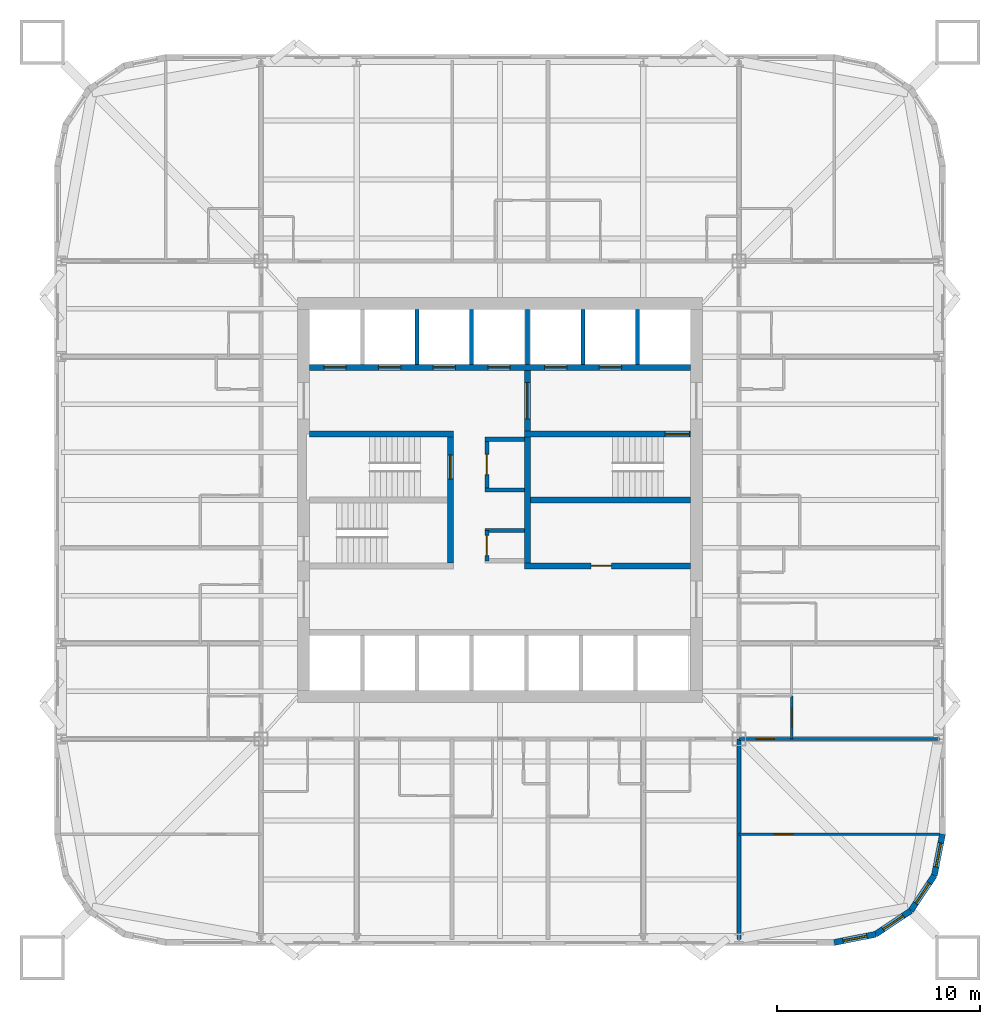
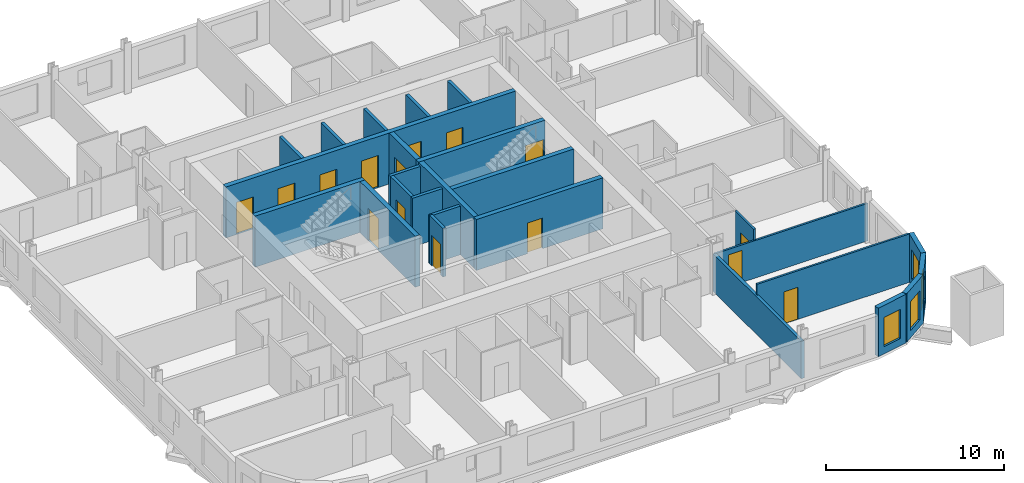
# One storey, part 5 of 10: 25 walls, 15 doors, 4 windows, 19 openings.
"""IFC4 building model written with IfcOpenShell, lengths in metres."""

from ifc_helpers import new_model, si_unit, direction, frame, frame_2d, origin, place, context, subcontext, project, spatial, rectangle, extrude, material, layer, layer_set, type_object, element, fill, save


model = new_model("IFC4")

# Units and contexts
model_context = context("Model", 3, precision=1e-05, world=origin(), true_north=direction((0.0, 1.0)))
body_context = subcontext(model_context, "Body", "Model", "MODEL_VIEW")
ifc_project = project(units=[si_unit("LENGTHUNIT", "METRE"), si_unit("AREAUNIT", "SQUARE_METRE"), si_unit("VOLUMEUNIT", "CUBIC_METRE"), si_unit("PLANEANGLEUNIT", "RADIAN"), si_unit("MASSUNIT", "GRAM", prefix="KILO")], contexts=[model_context])

# Site, building, storey
site_placement = place(None, origin())
site = spatial("IfcSite", under=ifc_project, at=site_placement, CompositionType="ELEMENT")
building_placement = place(site_placement, origin())
building = spatial("IfcBuilding", under=site, at=building_placement, Name="Turquesa Mirador Hotel Tower", CompositionType="ELEMENT")
storey_placement = place(building_placement, frame((0.0, 0.0, 70.5)))
storey = spatial("IfcBuildingStorey", under=building, at=storey_placement, Name="L18", CompositionType="ELEMENT", Elevation=70.5)

# Wall, openings, doors
ifc_material_1 = material(Name="Concrete C50/60", Category="concrete")
ifc_layer_1 = layer(ifc_material_1, 0.300048828125)
ifc_layer_set_1 = layer_set([ifc_layer_1], Name="CORE INNER WALL 300")
wall_type_1 = type_object("IfcWallType", Name="CORE INNER WALL 300", PredefinedType="SHEAR", material=ifc_layer_set_1)
wall_1_placement = place(storey_placement, frame((45.60009765625, 51.550048828125, 0.0), z_axis=(0.0, 0.0, 1.0), x_axis=(1.0, 0.0, 0.0)))
wall_1 = element("IfcWall", 1, at=wall_1_placement, inside=storey, type_object=wall_type_1, Name="Core wall NL", PredefinedType="SHEAR", context=body_context, shape_type="SweptSolid", body=[
    extrude(rectangle(XDim=18.7998046875, YDim=0.300048828125, at=frame_2d((9.39990234375, 0.0))), origin(), (0.0, 0.0, 1.0), 3.5),
])
opening_1_placement = place(wall_1_placement, frame((0.699951171875, 0.0, 0.0)))
opening_1 = element("IfcOpeningElement", 2, at=opening_1_placement, cuts=wall_1, Name="Opening LD", PredefinedType="OPENING", context=body_context, shape_type="SweptSolid", body=[
    extrude(rectangle(XDim=1.10009765625, YDim=2.199951171875, at=frame_2d((0.550048828125, 1.10009765625))), frame((0.0, 0.159912109375, 0.0), z_axis=(0.0, -1.0, 0.0), x_axis=(1.0, 0.0, 0.0)), (0.0, 0.0, 1.0), 0.320068359375),
])
opening_2_placement = place(wall_1_placement, frame((3.39990234375, 0.0, 0.0)))
opening_2 = element("IfcOpeningElement", 3, at=opening_2_placement, cuts=wall_1, Name="Opening LD", PredefinedType="OPENING", context=body_context, shape_type="SweptSolid", body=[
    extrude(rectangle(XDim=1.10009765625, YDim=2.199951171875, at=frame_2d((0.550048828125, 1.10009765625))), frame((0.0, 0.159912109375, 0.0), z_axis=(0.0, -1.0, 0.0), x_axis=(1.0, 0.0, 0.0)), (0.0, 0.0, 1.0), 0.320068359375),
])
opening_3_placement = place(wall_1_placement, frame((6.10009765625, 0.0, 0.0)))
opening_3 = element("IfcOpeningElement", 4, at=opening_3_placement, cuts=wall_1, Name="Opening LD", PredefinedType="OPENING", context=body_context, shape_type="SweptSolid", body=[
    extrude(rectangle(XDim=1.10009765625, YDim=2.199951171875, at=frame_2d((0.550048828125, 1.10009765625))), frame((0.0, 0.159912109375, 0.0), z_axis=(0.0, -1.0, 0.0), x_axis=(1.0, 0.0, 0.0)), (0.0, 0.0, 1.0), 0.320068359375),
])
opening_4_placement = place(wall_1_placement, frame((8.800048828125, 0.0, 0.0)))
opening_4 = element("IfcOpeningElement", 5, at=opening_4_placement, cuts=wall_1, Name="Opening LD", PredefinedType="OPENING", context=body_context, shape_type="SweptSolid", body=[
    extrude(rectangle(XDim=1.10009765625, YDim=2.199951171875, at=frame_2d((0.550048828125, 1.10009765625))), frame((0.0, 0.159912109375, 0.0), z_axis=(0.0, -1.0, 0.0), x_axis=(1.0, 0.0, 0.0)), (0.0, 0.0, 1.0), 0.320068359375),
])
opening_5_placement = place(wall_1_placement, frame((11.60009765625, 0.0, 0.0)))
opening_5 = element("IfcOpeningElement", 6, at=opening_5_placement, cuts=wall_1, Name="Opening LD", PredefinedType="OPENING", context=body_context, shape_type="SweptSolid", body=[
    extrude(rectangle(XDim=1.10009765625, YDim=2.199951171875, at=frame_2d((0.550048828125, 1.10009765625))), frame((0.0, 0.159912109375, 0.0), z_axis=(0.0, -1.0, 0.0), x_axis=(1.0, 0.0, 0.0)), (0.0, 0.0, 1.0), 0.320068359375),
])
opening_6_placement = place(wall_1_placement, frame((14.300048828125, 0.0, 0.0)))
opening_6 = element("IfcOpeningElement", 7, at=opening_6_placement, cuts=wall_1, Name="Opening LD", PredefinedType="OPENING", context=body_context, shape_type="SweptSolid", body=[
    extrude(rectangle(XDim=1.10009765625, YDim=2.199951171875, at=frame_2d((0.550048828125, 1.10009765625))), frame((0.0, 0.159912109375, 0.0), z_axis=(0.0, -1.0, 0.0), x_axis=(1.0, 0.0, 0.0)), (0.0, 0.0, 1.0), 0.320068359375),
])
ifc_material_2 = material(Name="Stainless steel lift landing door", Category="steel")
door_type_1 = type_object("IfcDoorType", Name="LIFT LANDING DOOR 1100X2200", OperationType="SLIDING_TO_LEFT", PredefinedType="DOOR", material=ifc_material_2)
door_1_placement = place(opening_1_placement, origin())
door_1 = element("IfcDoor", 8, at=door_1_placement, inside=storey, type_object=door_type_1, Name="Lift A1 landing door", OperationType="SLIDING_TO_LEFT", OverallHeight=2.199951171875, OverallWidth=1.10009765625, PredefinedType="DOOR", context=body_context, shape_type="SweptSolid", body=[
    extrude(rectangle(XDim=1.10009765625, YDim=2.199951171875, at=frame_2d((0.550048828125, 1.10009765625))), frame((0.0, 0.02490234375, 0.0), z_axis=(0.0, -1.0, 0.0), x_axis=(1.0, 0.0, 0.0)), (0.0, 0.0, 1.0), 0.050048828125),
])
fill(opening_1, door_1)
door_2_placement = place(opening_2_placement, origin())
door_2 = element("IfcDoor", 9, at=door_2_placement, inside=storey, type_object=door_type_1, Name="Lift A2 landing door", OperationType="SLIDING_TO_LEFT", OverallHeight=2.199951171875, OverallWidth=1.10009765625, PredefinedType="DOOR", context=body_context, shape_type="SweptSolid", body=[
    extrude(rectangle(XDim=1.10009765625, YDim=2.199951171875, at=frame_2d((0.550048828125, 1.10009765625))), frame((0.0, 0.02490234375, 0.0), z_axis=(0.0, -1.0, 0.0), x_axis=(1.0, 0.0, 0.0)), (0.0, 0.0, 1.0), 0.050048828125),
])
fill(opening_2, door_2)
door_3_placement = place(opening_3_placement, origin())
door_3 = element("IfcDoor", 10, at=door_3_placement, inside=storey, type_object=door_type_1, Name="Lift A3 landing door", OperationType="SLIDING_TO_LEFT", OverallHeight=2.199951171875, OverallWidth=1.10009765625, PredefinedType="DOOR", context=body_context, shape_type="SweptSolid", body=[
    extrude(rectangle(XDim=1.10009765625, YDim=2.199951171875, at=frame_2d((0.550048828125, 1.10009765625))), frame((0.0, 0.02490234375, 0.0), z_axis=(0.0, -1.0, 0.0), x_axis=(1.0, 0.0, 0.0)), (0.0, 0.0, 1.0), 0.050048828125),
])
fill(opening_3, door_3)
door_4_placement = place(opening_4_placement, origin())
door_4 = element("IfcDoor", 11, at=door_4_placement, inside=storey, type_object=door_type_1, Name="Lift A4 landing door", OperationType="SLIDING_TO_LEFT", OverallHeight=2.199951171875, OverallWidth=1.10009765625, PredefinedType="DOOR", context=body_context, shape_type="SweptSolid", body=[
    extrude(rectangle(XDim=1.10009765625, YDim=2.199951171875, at=frame_2d((0.550048828125, 1.10009765625))), frame((0.0, 0.02490234375, 0.0), z_axis=(0.0, -1.0, 0.0), x_axis=(1.0, 0.0, 0.0)), (0.0, 0.0, 1.0), 0.050048828125),
])
fill(opening_4, door_4)
door_5_placement = place(opening_5_placement, origin())
door_5 = element("IfcDoor", 12, at=door_5_placement, inside=storey, type_object=door_type_1, Name="Lift S1 landing door", OperationType="SLIDING_TO_LEFT", OverallHeight=2.199951171875, OverallWidth=1.10009765625, PredefinedType="DOOR", context=body_context, shape_type="SweptSolid", body=[
    extrude(rectangle(XDim=1.10009765625, YDim=2.199951171875, at=frame_2d((0.550048828125, 1.10009765625))), frame((0.0, 0.02490234375, 0.0), z_axis=(0.0, -1.0, 0.0), x_axis=(1.0, 0.0, 0.0)), (0.0, 0.0, 1.0), 0.050048828125),
])
fill(opening_5, door_5)
door_6_placement = place(opening_6_placement, origin())
door_6 = element("IfcDoor", 13, at=door_6_placement, inside=storey, type_object=door_type_1, Name="Lift S2 landing door", OperationType="SLIDING_TO_LEFT", OverallHeight=2.199951171875, OverallWidth=1.10009765625, PredefinedType="DOOR", context=body_context, shape_type="SweptSolid", body=[
    extrude(rectangle(XDim=1.10009765625, YDim=2.199951171875, at=frame_2d((0.550048828125, 1.10009765625))), frame((0.0, 0.02490234375, 0.0), z_axis=(0.0, -1.0, 0.0), x_axis=(1.0, 0.0, 0.0)), (0.0, 0.0, 1.0), 0.050048828125),
])
fill(opening_6, door_6)

# Wall
wall_2_placement = place(storey_placement, frame((45.60009765625, 48.25, 0.0), z_axis=(0.0, 0.0, 1.0), x_axis=(1.0, 0.0, 0.0)))
element("IfcWall", 14, at=wall_2_placement, inside=storey, type_object=wall_type_1, Name="Core wall MN-W", PredefinedType="SHEAR", context=body_context, shape_type="SweptSolid", body=[
    extrude(rectangle(XDim=7.099853515625, YDim=0.300048828125, at=frame_2d((3.5498046875, 0.0))), origin(), (0.0, 0.0, 1.0), 3.5),
])

# Wall, opening, door
wall_3_placement = place(storey_placement, frame((56.199951171875, 48.25, 0.0), z_axis=(0.0, 0.0, 1.0), x_axis=(1.0, 0.0, 0.0)))
wall_3 = element("IfcWall", 15, at=wall_3_placement, inside=storey, type_object=wall_type_1, Name="Core wall MN-E", PredefinedType="SHEAR", context=body_context, shape_type="SweptSolid", body=[
    extrude(rectangle(XDim=8.199951171875, YDim=0.300048828125, at=frame_2d((4.10009765625, 0.0))), origin(), (0.0, 0.0, 1.0), 3.5),
])
opening_7_placement = place(wall_3_placement, frame((6.949951171875, 0.0, 0.0)))
opening_7 = element("IfcOpeningElement", 16, at=opening_7_placement, cuts=wall_3, Name="Opening D03", PredefinedType="OPENING", context=body_context, shape_type="SweptSolid", body=[
    extrude(rectangle(XDim=1.199951171875, YDim=2.199951171875, at=frame_2d((0.60009765625, 1.10009765625))), frame((0.0, 0.159912109375, 0.0), z_axis=(0.0, -1.0, 0.0), x_axis=(1.0, 0.0, 0.0)), (0.0, 0.0, 1.0), 0.320068359375),
])
ifc_material_3 = material(Name="Steel fire door", Category="steel")
door_type_2 = type_object("IfcDoorType", Name="DOOR 1200X2200 STAIR", OperationType="SINGLE_SWING_LEFT", PredefinedType="DOOR", material=ifc_material_3)
door_7_placement = place(opening_7_placement, origin())
door_7 = element("IfcDoor", 17, at=door_7_placement, inside=storey, type_object=door_type_2, Name="Stair ST3 door", OperationType="SINGLE_SWING_LEFT", OverallHeight=2.199951171875, OverallWidth=1.199951171875, PredefinedType="DOOR", context=body_context, shape_type="SweptSolid", body=[
    extrude(rectangle(XDim=1.199951171875, YDim=2.199951171875, at=frame_2d((0.60009765625, 1.10009765625))), frame((0.0, 0.02490234375, 0.0), z_axis=(0.0, -1.0, 0.0), x_axis=(1.0, 0.0, 0.0)), (0.0, 0.0, 1.0), 0.050048828125),
])
fill(opening_7, door_7)

wall_4_placement = place(storey_placement, frame((56.199951171875, 41.75, 0.0), z_axis=(0.0, 0.0, 1.0), x_axis=(1.0, 0.0, 0.0)))
wall_4 = element("IfcWall", 18, at=wall_4_placement, inside=storey, type_object=wall_type_1, Name="Core wall MS-E", PredefinedType="SHEAR", context=body_context, shape_type="SweptSolid", body=[
    extrude(rectangle(XDim=8.199951171875, YDim=0.300048828125, at=frame_2d((4.10009765625, 0.0))), origin(), (0.0, 0.0, 1.0), 3.5),
])
opening_8_placement = place(wall_4_placement, frame((3.300048828125, 0.0, 0.0)))
opening_8 = element("IfcOpeningElement", 19, at=opening_8_placement, cuts=wall_4, Name="Opening D05", PredefinedType="OPENING", context=body_context, shape_type="SweptSolid", body=[
    extrude(rectangle(XDim=1.0, YDim=2.10009765625, at=frame_2d((0.5, 1.050048828125))), frame((0.0, 0.159912109375, 0.0), z_axis=(0.0, -1.0, 0.0), x_axis=(1.0, 0.0, 0.0)), (0.0, 0.0, 1.0), 0.320068359375),
])
ifc_material_4 = material(Name="Steel fire door", Category="steel")
door_type_3 = type_object("IfcDoorType", Name="DOOR 1000X2100 SERVICE", OperationType="SINGLE_SWING_LEFT", PredefinedType="DOOR", material=ifc_material_4)
door_8_placement = place(opening_8_placement, origin())
door_8 = element("IfcDoor", 20, at=door_8_placement, inside=storey, type_object=door_type_3, Name="Housekeeping room door", OperationType="SINGLE_SWING_LEFT", OverallHeight=2.10009765625, OverallWidth=1.0, PredefinedType="DOOR", context=body_context, shape_type="SweptSolid", body=[
    extrude(rectangle(XDim=1.0, YDim=2.10009765625, at=frame_2d((0.5, 1.050048828125))), frame((0.0, 0.02490234375, 0.0), z_axis=(0.0, -1.0, 0.0), x_axis=(1.0, 0.0, 0.0)), (0.0, 0.0, 1.0), 0.050048828125),
])
fill(opening_8, door_8)

wall_5_placement = place(storey_placement, frame((52.550048828125, 41.89990234375, 0.0), z_axis=(0.0, 0.0, 1.0), x_axis=(0.0, 1.0, 0.0)))
wall_5 = element("IfcWall", 21, at=wall_5_placement, inside=storey, type_object=wall_type_1, Name="Core wall PW", PredefinedType="SHEAR", context=body_context, shape_type="SweptSolid", body=[
    extrude(rectangle(XDim=6.2001953125, YDim=0.300048828125, at=frame_2d((3.10009765625, 0.0))), origin(), (0.0, 0.0, 1.0), 3.5),
])
opening_9_placement = place(wall_5_placement, frame((4.125, 0.0, 0.0)))
opening_9 = element("IfcOpeningElement", 22, at=opening_9_placement, cuts=wall_5, Name="Opening D03", PredefinedType="OPENING", context=body_context, shape_type="SweptSolid", body=[
    extrude(rectangle(XDim=1.199951171875, YDim=2.199951171875, at=frame_2d((0.60009765625, 1.10009765625))), frame((0.0, 0.159912109375, 0.0), z_axis=(0.0, -1.0, 0.0), x_axis=(1.0, 0.0, 0.0)), (0.0, 0.0, 1.0), 0.320068359375),
])
door_9_placement = place(opening_9_placement, origin())
door_9 = element("IfcDoor", 23, at=door_9_placement, inside=storey, type_object=door_type_2, Name="Stair ST1 door", OperationType="SINGLE_SWING_LEFT", OverallHeight=2.199951171875, OverallWidth=1.199951171875, PredefinedType="DOOR", context=body_context, shape_type="SweptSolid", body=[
    extrude(rectangle(XDim=1.199951171875, YDim=2.199951171875, at=frame_2d((0.60009765625, 1.10009765625))), frame((0.0, 0.02490234375, 0.0), z_axis=(0.0, -1.0, 0.0), x_axis=(1.0, 0.0, 0.0)), (0.0, 0.0, 1.0), 0.050048828125),
])
fill(opening_9, door_9)

wall_6_placement = place(storey_placement, frame((56.35009765625, 41.89990234375, 0.0), z_axis=(0.0, 0.0, 1.0), x_axis=(0.0, 1.0, 0.0)))
wall_6 = element("IfcWall", 24, at=wall_6_placement, inside=storey, type_object=wall_type_1, Name="Core wall PE", PredefinedType="SHEAR", context=body_context, shape_type="SweptSolid", body=[
    extrude(rectangle(XDim=9.5, YDim=0.300048828125, at=frame_2d((4.75, 0.0))), origin(), (0.0, 0.0, 1.0), 3.5),
])
opening_10_placement = place(wall_6_placement, frame((7.10009765625, 0.0, 0.0)))
opening_10 = element("IfcOpeningElement", 25, at=opening_10_placement, cuts=wall_6, Name="Opening D04", PredefinedType="OPENING", context=body_context, shape_type="SweptSolid", body=[
    extrude(rectangle(XDim=1.800048828125, YDim=2.199951171875, at=frame_2d((0.89990234375, 1.10009765625))), frame((0.0, 0.159912109375, 0.0), z_axis=(0.0, -1.0, 0.0), x_axis=(1.0, 0.0, 0.0)), (0.0, 0.0, 1.0), 0.320068359375),
])
ifc_material_5 = material(Name="Steel fire door pair", Category="steel")
door_type_4 = type_object("IfcDoorType", Name="DOOR 1800X2200 PAIR", OperationType="DOUBLE_DOOR_SINGLE_SWING", PredefinedType="DOOR", material=ifc_material_5)
door_10_placement = place(opening_10_placement, origin())
door_10 = element("IfcDoor", 26, at=door_10_placement, inside=storey, type_object=door_type_4, Name="Firefighting lobby inner door", OperationType="DOUBLE_DOOR_SINGLE_SWING", OverallHeight=2.199951171875, OverallWidth=1.800048828125, PredefinedType="DOOR", context=body_context, shape_type="SweptSolid", body=[
    extrude(rectangle(XDim=1.800048828125, YDim=2.199951171875, at=frame_2d((0.89990234375, 1.10009765625))), frame((0.0, 0.02490234375, 0.0), z_axis=(0.0, -1.0, 0.0), x_axis=(1.0, 0.0, 0.0)), (0.0, 0.0, 1.0), 0.050048828125),
])
fill(opening_10, door_10)

# Wall
wall_7_placement = place(storey_placement, frame((56.5, 45.0, 0.0), z_axis=(0.0, 0.0, 1.0), x_axis=(1.0, 0.0, 0.0)))
element("IfcWall", 27, at=wall_7_placement, inside=storey, type_object=wall_type_1, Name="Core wall M0-E", PredefinedType="SHEAR", context=body_context, shape_type="SweptSolid", body=[
    extrude(rectangle(XDim=7.89990234375, YDim=0.300048828125, at=frame_2d((3.949951171875, 0.0))), origin(), (0.0, 0.0, 1.0), 3.5),
])

# Wall, opening, window
ifc_material_6 = material(Name="Limestone cladding on concrete block", Category="masonry")
ifc_layer_2 = layer(ifc_material_6, 0.300048828125)
ifc_layer_set_2 = layer_set([ifc_layer_2], Name="FACADE WALL 300 STONE SCREEN")
wall_type_2 = type_object("IfcWallType", Name="FACADE WALL 300 STONE SCREEN", PredefinedType="SOLIDWALL", material=ifc_layer_set_2)
wall_8_placement = place(storey_placement, frame((71.5, 23.14990234375, 0.0), z_axis=(0.0, 0.0, 1.0), x_axis=(0.980787050784, 0.195081421501, 0.0)))
wall_8 = element("IfcWall", 28, at=wall_8_placement, inside=storey, type_object=wall_type_2, Name="Facade wall L18 00", PredefinedType="SOLIDWALL", context=body_context, shape_type="SweptSolid", body=[
    extrude(rectangle(XDim=2.08740234375, YDim=0.300048828125, at=frame_2d((1.043701171875, 0.0))), origin(), (0.0, 0.0, 1.0), 3.330078125),
])
opening_11_placement = place(wall_8_placement, frame((0.443603515625, 0.0, 0.5)))
opening_11 = element("IfcOpeningElement", 29, at=opening_11_placement, cuts=wall_8, Name="Opening WN4", PredefinedType="OPENING", context=body_context, shape_type="SweptSolid", body=[
    extrude(rectangle(XDim=1.199951171875, YDim=2.0, at=frame_2d((0.60009765625, 1.0))), frame((0.0, 0.159912109375, 0.0), z_axis=(0.0, -1.0, 0.0), x_axis=(1.0, 0.0, 0.0)), (0.0, 0.0, 1.0), 0.320068359375),
])
ifc_material_7 = material(Name="Ceramic-fritted laminated glass", Category="glass")
window_type = type_object("IfcWindowType", Name="FRITTED CORNER WINDOW 1200X2000", PartitioningType="DOUBLE_PANEL_HORIZONTAL", PredefinedType="WINDOW", material=ifc_material_7)
window_1_placement = place(opening_11_placement, origin())
window_1 = element("IfcWindow", 30, at=window_1_placement, inside=storey, type_object=window_type, Name="Window L18", OverallHeight=2.0, OverallWidth=1.199951171875, PartitioningType="SINGLE_PANEL", PredefinedType="WINDOW", context=body_context, shape_type="SweptSolid", body=[
    extrude(rectangle(XDim=1.199951171875, YDim=2.0, at=frame_2d((0.60009765625, 1.0))), frame((0.0, 0.030029296875, 0.0), z_axis=(0.0, -1.0, 0.0), x_axis=(1.0, 0.0, 0.0)), (0.0, 0.0, 1.0), 0.06005859375),
])
fill(opening_11, window_1)

wall_9_placement = place(storey_placement, frame((73.54736328125, 23.55712890625, 0.0), z_axis=(0.0, 0.0, 1.0), x_axis=(0.831420010345, 0.555644460423, 0.0)))
wall_9 = element("IfcWall", 31, at=wall_9_placement, inside=storey, type_object=wall_type_2, Name="Facade wall L18 01", PredefinedType="SOLIDWALL", context=body_context, shape_type="SweptSolid", body=[
    extrude(rectangle(XDim=2.08740234375, YDim=0.300048828125, at=frame_2d((1.043701171875, 0.0))), origin(), (0.0, 0.0, 1.0), 3.330078125),
])
opening_12_placement = place(wall_9_placement, frame((0.443603515625, 0.0, 0.5)))
opening_12 = element("IfcOpeningElement", 32, at=opening_12_placement, cuts=wall_9, Name="Opening WN4", PredefinedType="OPENING", context=body_context, shape_type="SweptSolid", body=[
    extrude(rectangle(XDim=1.199951171875, YDim=2.0, at=frame_2d((0.60009765625, 1.0))), frame((0.0, 0.159912109375, 0.0), z_axis=(0.0, -1.0, 0.0), x_axis=(1.0, 0.0, 0.0)), (0.0, 0.0, 1.0), 0.320068359375),
])
window_2_placement = place(opening_12_placement, origin())
window_2 = element("IfcWindow", 33, at=window_2_placement, inside=storey, type_object=window_type, Name="Window L18", OverallHeight=2.0, OverallWidth=1.199951171875, PartitioningType="SINGLE_PANEL", PredefinedType="WINDOW", context=body_context, shape_type="SweptSolid", body=[
    extrude(rectangle(XDim=1.199951171875, YDim=2.0, at=frame_2d((0.60009765625, 1.0))), frame((0.0, 0.030029296875, 0.0), z_axis=(0.0, -1.0, 0.0), x_axis=(1.0, 0.0, 0.0)), (0.0, 0.0, 1.0), 0.06005859375),
])
fill(opening_12, window_2)

wall_10_placement = place(storey_placement, frame((75.282958984375, 24.717041015625, 0.0), z_axis=(0.0, 0.0, 1.0), x_axis=(0.555644460423, 0.831420010345, 0.0)))
wall_10 = element("IfcWall", 34, at=wall_10_placement, inside=storey, type_object=wall_type_2, Name="Facade wall L18 02", PredefinedType="SOLIDWALL", context=body_context, shape_type="SweptSolid", body=[
    extrude(rectangle(XDim=2.08740234375, YDim=0.300048828125, at=frame_2d((1.043701171875, 0.0))), origin(), (0.0, 0.0, 1.0), 3.330078125),
])
opening_13_placement = place(wall_10_placement, frame((0.443603515625, 0.0, 0.5)))
opening_13 = element("IfcOpeningElement", 35, at=opening_13_placement, cuts=wall_10, Name="Opening WN4", PredefinedType="OPENING", context=body_context, shape_type="SweptSolid", body=[
    extrude(rectangle(XDim=1.199951171875, YDim=2.0, at=frame_2d((0.60009765625, 1.0))), frame((0.0, 0.159912109375, 0.0), z_axis=(0.0, -1.0, 0.0), x_axis=(1.0, 0.0, 0.0)), (0.0, 0.0, 1.0), 0.320068359375),
])
window_3_placement = place(opening_13_placement, origin())
window_3 = element("IfcWindow", 36, at=window_3_placement, inside=storey, type_object=window_type, Name="Window L18", OverallHeight=2.0, OverallWidth=1.199951171875, PartitioningType="SINGLE_PANEL", PredefinedType="WINDOW", context=body_context, shape_type="SweptSolid", body=[
    extrude(rectangle(XDim=1.199951171875, YDim=2.0, at=frame_2d((0.60009765625, 1.0))), frame((0.0, 0.030029296875, 0.0), z_axis=(0.0, -1.0, 0.0), x_axis=(1.0, 0.0, 0.0)), (0.0, 0.0, 1.0), 0.06005859375),
])
fill(opening_13, window_3)

wall_11_placement = place(storey_placement, frame((76.44287109375, 26.45263671875, 0.0), z_axis=(0.0, 0.0, 1.0), x_axis=(0.195081421501, 0.980787050784, 0.0)))
wall_11 = element("IfcWall", 37, at=wall_11_placement, inside=storey, type_object=wall_type_2, Name="Facade wall L18 03", PredefinedType="SOLIDWALL", context=body_context, shape_type="SweptSolid", body=[
    extrude(rectangle(XDim=2.08740234375, YDim=0.300048828125, at=frame_2d((1.043701171875, 0.0))), origin(), (0.0, 0.0, 1.0), 3.330078125),
])
opening_14_placement = place(wall_11_placement, frame((0.443603515625, 0.0, 0.5)))
opening_14 = element("IfcOpeningElement", 38, at=opening_14_placement, cuts=wall_11, Name="Opening WN4", PredefinedType="OPENING", context=body_context, shape_type="SweptSolid", body=[
    extrude(rectangle(XDim=1.199951171875, YDim=2.0, at=frame_2d((0.60009765625, 1.0))), frame((0.0, 0.159912109375, 0.0), z_axis=(0.0, -1.0, 0.0), x_axis=(1.0, 0.0, 0.0)), (0.0, 0.0, 1.0), 0.320068359375),
])
window_4_placement = place(opening_14_placement, origin())
window_4 = element("IfcWindow", 39, at=window_4_placement, inside=storey, type_object=window_type, Name="Window L18", OverallHeight=2.0, OverallWidth=1.199951171875, PartitioningType="SINGLE_PANEL", PredefinedType="WINDOW", context=body_context, shape_type="SweptSolid", body=[
    extrude(rectangle(XDim=1.199951171875, YDim=2.0, at=frame_2d((0.60009765625, 1.0))), frame((0.0, 0.030029296875, 0.0), z_axis=(0.0, -1.0, 0.0), x_axis=(1.0, 0.0, 0.0)), (0.0, 0.0, 1.0), 0.06005859375),
])
fill(opening_14, window_4)

# Wall, opening, door
ifc_material_8 = material(Name="Fire-rated gypsum board on steel studs", Category="steel")
ifc_layer_3 = layer(ifc_material_8, 0.199951171875)
ifc_layer_set_3 = layer_set([ifc_layer_3], Name="FIRE PARTITION 200")
wall_type_3 = type_object("IfcWallType", Name="FIRE PARTITION 200", PredefinedType="PARTITIONING", material=ifc_layer_set_3)
wall_12_placement = place(storey_placement, frame((54.35009765625, 42.0, 0.0), z_axis=(0.0, 0.0, 1.0), x_axis=(0.0, 1.0, 0.0)))
wall_12 = element("IfcWall", 40, at=wall_12_placement, inside=storey, type_object=wall_type_3, Name="Partition L18 SW W", PredefinedType="PARTITIONING", context=body_context, shape_type="SweptSolid", body=[
    extrude(rectangle(XDim=1.5, YDim=0.199951171875, at=frame_2d((0.75, 0.0))), origin(), (0.0, 0.0, 1.0), 3.330078125),
])
opening_15_placement = place(wall_12_placement, frame((0.25, 0.0, 0.0)))
opening_15 = element("IfcOpeningElement", 41, at=opening_15_placement, cuts=wall_12, Name="Opening D05", PredefinedType="OPENING", context=body_context, shape_type="SweptSolid", body=[
    extrude(rectangle(XDim=1.0, YDim=2.10009765625, at=frame_2d((0.5, 1.050048828125))), frame((0.0, 0.10986328125, 0.0), z_axis=(0.0, -1.0, 0.0), x_axis=(1.0, 0.0, 0.0)), (0.0, 0.0, 1.0), 0.219970703125),
])
door_11_placement = place(opening_15_placement, origin())
door_11 = element("IfcDoor", 42, at=door_11_placement, inside=storey, type_object=door_type_3, Name="Staff WC door", OperationType="SINGLE_SWING_LEFT", OverallHeight=2.10009765625, OverallWidth=1.0, PredefinedType="DOOR", context=body_context, shape_type="SweptSolid", body=[
    extrude(rectangle(XDim=1.0, YDim=2.10009765625, at=frame_2d((0.5, 1.050048828125))), frame((0.0, 0.02490234375, 0.0), z_axis=(0.0, -1.0, 0.0), x_axis=(1.0, 0.0, 0.0)), (0.0, 0.0, 1.0), 0.050048828125),
])
fill(opening_15, door_11)

# Wall
wall_13_placement = place(storey_placement, frame((54.25, 43.5, 0.0), z_axis=(0.0, 0.0, 1.0), x_axis=(1.0, 0.0, 0.0)))
element("IfcWall", 43, at=wall_13_placement, inside=storey, type_object=wall_type_3, Name="Partition L18 SW N", PredefinedType="PARTITIONING", context=body_context, shape_type="SweptSolid", body=[
    extrude(rectangle(XDim=1.949951171875, YDim=0.199951171875, at=frame_2d((0.97509765625, 0.0))), origin(), (0.0, 0.0, 1.0), 3.330078125),
])

# Wall, opening, door
wall_14_placement = place(storey_placement, frame((54.35009765625, 45.5, 0.0), z_axis=(0.0, 0.0, 1.0), x_axis=(0.0, 1.0, 0.0)))
wall_14 = element("IfcWall", 44, at=wall_14_placement, inside=storey, type_object=wall_type_3, Name="Partition L18 RS W", PredefinedType="PARTITIONING", context=body_context, shape_type="SweptSolid", body=[
    extrude(rectangle(XDim=2.5, YDim=0.199951171875, at=frame_2d((1.25, 0.0))), origin(), (0.0, 0.0, 1.0), 3.330078125),
])
opening_16_placement = place(wall_14_placement, frame((0.75, 0.0, 0.0)))
opening_16 = element("IfcOpeningElement", 45, at=opening_16_placement, cuts=wall_14, Name="Opening D05", PredefinedType="OPENING", context=body_context, shape_type="SweptSolid", body=[
    extrude(rectangle(XDim=1.0, YDim=2.10009765625, at=frame_2d((0.5, 1.050048828125))), frame((0.0, 0.10986328125, 0.0), z_axis=(0.0, -1.0, 0.0), x_axis=(1.0, 0.0, 0.0)), (0.0, 0.0, 1.0), 0.219970703125),
])
door_12_placement = place(opening_16_placement, origin())
door_12 = element("IfcDoor", 46, at=door_12_placement, inside=storey, type_object=door_type_3, Name="Room service pantry door", OperationType="SINGLE_SWING_LEFT", OverallHeight=2.10009765625, OverallWidth=1.0, PredefinedType="DOOR", context=body_context, shape_type="SweptSolid", body=[
    extrude(rectangle(XDim=1.0, YDim=2.10009765625, at=frame_2d((0.5, 1.050048828125))), frame((0.0, 0.02490234375, 0.0), z_axis=(0.0, -1.0, 0.0), x_axis=(1.0, 0.0, 0.0)), (0.0, 0.0, 1.0), 0.050048828125),
])
fill(opening_16, door_12)

# Walls
for number, where, z_axis, x_axis, name in (
    (47, (54.25, 45.5, 0.0), (0.0, 0.0, 1.0), (1.0, 0.0, 0.0), "Partition L18 RS S"),
    (48, (54.25, 48.0, 0.0), (0.0, 0.0, 1.0), (1.0, 0.0, 0.0), "Partition L18 RS N"),
):
    element("IfcWall", number, at=place(storey_placement, frame(where, z_axis=z_axis, x_axis=x_axis)), inside=storey, type_object=wall_type_3, Name=name, PredefinedType="PARTITIONING", context=body_context, shape_type="SweptSolid", body=[
        extrude(rectangle(XDim=1.949951171875, YDim=0.199951171875, at=frame_2d((0.97509765625, 0.0))), origin(), (0.0, 0.0, 1.0), 3.330078125),
    ])
ifc_material_9 = material(Name="Fire-rated gypsum shaft wall on steel studs", Category="steel")
ifc_layer_4 = layer(ifc_material_9, 0.199951171875)
ifc_layer_set_4 = layer_set([ifc_layer_4], Name="LIFT SHAFT DIVIDER 200")
wall_type_4 = type_object("IfcWallType", Name="LIFT SHAFT DIVIDER 200", PredefinedType="PARTITIONING", material=ifc_layer_set_4)
for number, where, z_axis, x_axis, name in (
    (49, (50.89990234375, 51.699951171875, 0.0), (0.0, 0.0, 1.0), (0.0, 1.0, 0.0), "Lift shaft divider"),
    (50, (53.60009765625, 51.699951171875, 0.0), (0.0, 0.0, 1.0), (0.0, 1.0, 0.0), "Lift shaft divider"),
    (51, (59.10009765625, 51.699951171875, 0.0), (0.0, 0.0, 1.0), (0.0, 1.0, 0.0), "Lift shaft divider"),
    (52, (61.800048828125, 51.699951171875, 0.0), (0.0, 0.0, 1.0), (0.0, 1.0, 0.0), "Lift shaft divider"),
    (53, (56.35009765625, 51.699951171875, 0.0), (0.0, 0.0, 1.0), (0.0, 1.0, 0.0), "Lift shaft divider"),
):
    element("IfcWall", number, at=place(storey_placement, frame(where, z_axis=z_axis, x_axis=x_axis)), inside=storey, type_object=wall_type_4, Name=name, PredefinedType="PARTITIONING", context=body_context, shape_type="SweptSolid", body=[
        extrude(rectangle(XDim=2.699951171875, YDim=0.199951171875, at=frame_2d((1.35009765625, 0.0))), origin(), (0.0, 0.0, 1.0), 3.330078125),
    ])
ifc_material_10 = material(Name="Fire-rated gypsum board on steel studs", Category="steel")
ifc_layer_5 = layer(ifc_material_10, 0.199951171875)
ifc_layer_set_5 = layer_set([ifc_layer_5], Name="PARTY WALL 200")
wall_type_5 = type_object("IfcWallType", Name="PARTY WALL 200", PredefinedType="PARTITIONING", material=ifc_layer_set_5)
wall_15_placement = place(storey_placement, frame((66.800048828125, 23.300048828125, 0.0), z_axis=(0.0, 0.0, 1.0), x_axis=(0.0, 1.0, 0.0)))
element("IfcWall", 54, at=wall_15_placement, inside=storey, type_object=wall_type_5, Name="Partition L18 062", PredefinedType="PARTITIONING", context=body_context, shape_type="SweptSolid", body=[
    extrude(rectangle(XDim=9.89990234375, YDim=0.199951171875, at=frame_2d((4.949951171875, 0.0))), origin(), (0.0, 0.0, 1.0), 2.572998046875),
])

# Wall, opening, door
ifc_material_11 = material(Name="Acoustic gypsum board on steel studs", Category="steel")
ifc_layer_6 = layer(ifc_material_11, 0.125)
ifc_layer_set_6 = layer_set([ifc_layer_6], Name="SUITE PARTITION 125")
wall_type_6 = type_object("IfcWallType", Name="SUITE PARTITION 125", PredefinedType="PARTITIONING", material=ifc_layer_set_6)
wall_16_placement = place(storey_placement, frame((66.800048828125, 33.199951171875, 0.0), z_axis=(0.0, 0.0, 1.0), x_axis=(1.0, 0.0, 0.0)))
wall_16 = element("IfcWall", 55, at=wall_16_placement, inside=storey, type_object=wall_type_6, Name="Partition L18 003", PredefinedType="PARTITIONING", context=body_context, shape_type="SweptSolid", body=[
    extrude(rectangle(XDim=9.89990234375, YDim=0.125, at=frame_2d((4.949951171875, 0.0))), origin(), (0.0, 0.0, 1.0), 2.572998046875),
])
opening_17_placement = place(wall_16_placement, frame((0.85009765625, 0.0, 0.0)))
opening_17 = element("IfcOpeningElement", 56, at=opening_17_placement, cuts=wall_16, Name="Opening D17", PredefinedType="OPENING", context=body_context, shape_type="SweptSolid", body=[
    extrude(rectangle(XDim=0.89990234375, YDim=2.199951171875, at=frame_2d((0.449951171875, 1.10009765625))), frame((0.0, 0.072509765625, 0.0), z_axis=(0.0, -1.0, 0.0), x_axis=(1.0, 0.0, 0.0)), (0.0, 0.0, 1.0), 0.14501953125),
])
ifc_material_12 = material(Name="Timber veneered door", Category="wood")
door_type_5 = type_object("IfcDoorType", Name="DOOR 900X2200 SUITE INTERNAL", OperationType="SINGLE_SWING_LEFT", PredefinedType="DOOR", material=ifc_material_12)
door_13_placement = place(opening_17_placement, origin())
door_13 = element("IfcDoor", 57, at=door_13_placement, inside=storey, type_object=door_type_5, Name="Door 1815", OperationType="SINGLE_SWING_LEFT", OverallHeight=2.199951171875, OverallWidth=0.89990234375, PredefinedType="DOOR", context=body_context, shape_type="SweptSolid", body=[
    extrude(rectangle(XDim=0.89990234375, YDim=2.199951171875, at=frame_2d((0.449951171875, 1.10009765625))), frame((0.0, 0.02490234375, 0.0), z_axis=(0.0, -1.0, 0.0), x_axis=(1.0, 0.0, 0.0)), (0.0, 0.0, 1.0), 0.050048828125),
])
fill(opening_17, door_13)

wall_17_placement = place(storey_placement, frame((66.800048828125, 28.5, 0.0), z_axis=(0.0, 0.0, 1.0), x_axis=(1.0, 0.0, 0.0)))
wall_17 = element("IfcWall", 58, at=wall_17_placement, inside=storey, type_object=wall_type_6, Name="Partition L18 012", PredefinedType="PARTITIONING", context=body_context, shape_type="SweptSolid", body=[
    extrude(rectangle(XDim=9.89404296875, YDim=0.125, at=frame_2d((4.947021484375, 0.0))), origin(), (0.0, 0.0, 1.0), 3.330078125),
])
opening_18_placement = place(wall_17_placement, frame((1.75, 0.0, 0.0)))
opening_18 = element("IfcOpeningElement", 59, at=opening_18_placement, cuts=wall_17, Name="Opening D17", PredefinedType="OPENING", context=body_context, shape_type="SweptSolid", body=[
    extrude(rectangle(XDim=0.89990234375, YDim=2.199951171875, at=frame_2d((0.449951171875, 1.10009765625))), frame((0.0, 0.072509765625, 0.0), z_axis=(0.0, -1.0, 0.0), x_axis=(1.0, 0.0, 0.0)), (0.0, 0.0, 1.0), 0.14501953125),
])
door_14_placement = place(opening_18_placement, origin())
door_14 = element("IfcDoor", 60, at=door_14_placement, inside=storey, type_object=door_type_5, Name="Door 1815M", OperationType="SINGLE_SWING_LEFT", OverallHeight=2.199951171875, OverallWidth=0.89990234375, PredefinedType="DOOR", context=body_context, shape_type="SweptSolid", body=[
    extrude(rectangle(XDim=0.89990234375, YDim=2.199951171875, at=frame_2d((0.449951171875, 1.10009765625))), frame((0.0, 0.02490234375, 0.0), z_axis=(0.0, -1.0, 0.0), x_axis=(1.0, 0.0, 0.0)), (0.0, 0.0, 1.0), 0.050048828125),
])
fill(opening_18, door_14)

wall_18_placement = place(storey_placement, frame((69.39990234375, 33.199951171875, 0.0), z_axis=(0.0, 0.0, 1.0), x_axis=(0.0, 1.0, 0.0)))
wall_18 = element("IfcWall", 61, at=wall_18_placement, inside=storey, type_object=wall_type_6, Name="Partition L18 069", PredefinedType="PARTITIONING", context=body_context, shape_type="SweptSolid", body=[
    extrude(rectangle(XDim=2.1201171875, YDim=0.125, at=frame_2d((1.06005859375, 0.0))), origin(), (0.0, 0.0, 1.0), 3.330078125),
])
opening_19_placement = place(wall_18_placement, frame((0.610107421875, 0.0, 0.0)))
opening_19 = element("IfcOpeningElement", 62, at=opening_19_placement, cuts=wall_18, Name="Opening D17", PredefinedType="OPENING", context=body_context, shape_type="SweptSolid", body=[
    extrude(rectangle(XDim=0.89990234375, YDim=2.199951171875, at=frame_2d((0.449951171875, 1.10009765625))), frame((0.0, 0.072509765625, 0.0), z_axis=(0.0, -1.0, 0.0), x_axis=(1.0, 0.0, 0.0)), (0.0, 0.0, 1.0), 0.14501953125),
])
door_15_placement = place(opening_19_placement, origin())
door_15 = element("IfcDoor", 63, at=door_15_placement, inside=storey, type_object=door_type_5, Name="Door 1815R", OperationType="SINGLE_SWING_LEFT", OverallHeight=2.199951171875, OverallWidth=0.89990234375, PredefinedType="DOOR", context=body_context, shape_type="SweptSolid", body=[
    extrude(rectangle(XDim=0.89990234375, YDim=2.199951171875, at=frame_2d((0.449951171875, 1.10009765625))), frame((0.0, 0.02490234375, 0.0), z_axis=(0.0, -1.0, 0.0), x_axis=(1.0, 0.0, 0.0)), (0.0, 0.0, 1.0), 0.050048828125),
])
fill(opening_19, door_15)

save(model, "model.ifc")
